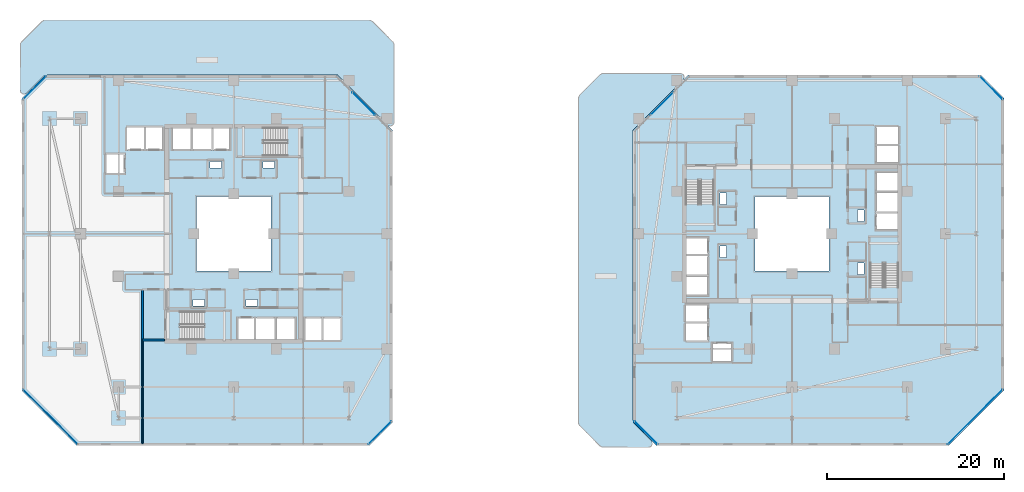
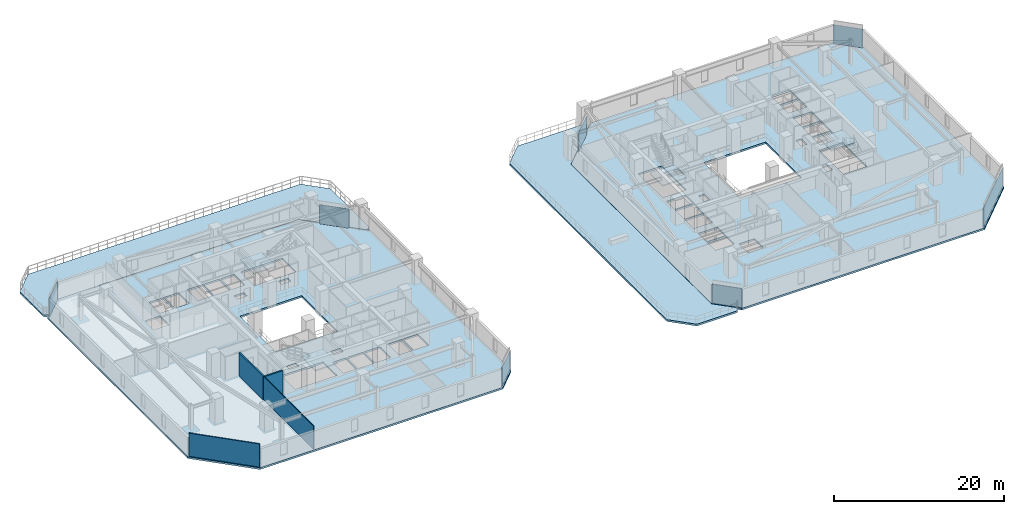
# One storey, part 17 of 31: 8 plates, 8 slabs, 4 walls, 12 elements without a shape of their own.
"""IFC4 building model written with IfcOpenShell, lengths in metres."""

import ifcopenshell
import ifcopenshell.guid

model = None  # the IFC model being written
_history = None  # IfcOwnerHistory: only IFC2X3 demands one
_inside = {}  # id of a spatial element -> (the spatial element, [elements in it])
_under = {}  # id of a project, library or spatial element -> (it, [spatial elements below it])
_declared = {}  # id of a project -> (the project, [libraries it declares])
_typed = {}  # id of a type object -> (the type object, [elements of that type])
_made_of = {}  # id of a material, layer set ... -> (it, [elements and type objects made of it])


def new_model(schema):
    """Start an empty IFC model of exactly this schema.

    Asked for "IFC4X3", IfcOpenShell would pick the latest addendum, in which some entities
    have other attributes; the version numbers below select the first issue.
    IFC2X3 requires an IfcOwnerHistory on every rooted entity: one is made here for all.
    """
    global model, _history
    if schema == "IFC4X3":
        model = ifcopenshell.file(schema_version=(4, 3, 0, 0))
    else:
        model = ifcopenshell.file(schema=schema)
    _inside.clear()
    _under.clear()
    _declared.clear()
    _typed.clear()
    _made_of.clear()
    _history = None
    if model.schema == "IFC2X3":
        org = make("IfcOrganization", Name="unknown")
        user = make(
            "IfcPersonAndOrganization",
            ThePerson=make("IfcPerson", FamilyName="unknown"),
            TheOrganization=org,
        )
        app = make(
            "IfcApplication",
            ApplicationDeveloper=org,
            Version="unknown",
            ApplicationFullName="unknown",
            ApplicationIdentifier="unknown",
        )
        _history = make(
            "IfcOwnerHistory",
            OwningUser=user,
            OwningApplication=app,
            ChangeAction="ADDED",
            CreationDate=0,
        )
    return model


def make(cls, **values):
    """One entity of the class cls with the attributes given. An attribute that is None is left unset."""
    return model.create_entity(
        cls, **{name: value for name, value in values.items() if value is not None}
    )


def rooted(cls, **values):
    """An entity with a GlobalId (a new one), such as an element, a storey or a relation."""
    return make(cls, GlobalId=ifcopenshell.guid.new(), OwnerHistory=_history, **values)


def si_unit(unit_type, name, prefix=None):
    """IfcSIUnit, for example si_unit("LENGTHUNIT", "METRE", prefix="MILLI")."""
    return make("IfcSIUnit", UnitType=unit_type, Prefix=prefix, Name=name)


def assignment(units):
    """IfcUnitAssignment: the units of a project."""
    return None if units is None else make("IfcUnitAssignment", Units=units)


def point(xyz):
    """IfcCartesianPoint."""
    return None if xyz is None else make("IfcCartesianPoint", Coordinates=xyz)


def direction(xyz):
    """IfcDirection."""
    return None if xyz is None else make("IfcDirection", DirectionRatios=xyz)


def frame(location, z_axis=None, x_axis=None):
    """IfcAxis2Placement3D, a coordinate frame: its origin and axes. An axis left out is left unset."""
    return make(
        "IfcAxis2Placement3D",
        Location=point(location),
        Axis=direction(z_axis),
        RefDirection=direction(x_axis),
    )


def frame_2d(location, x_axis=None):
    """IfcAxis2Placement2D, a coordinate frame in the plane: its origin and x axis."""
    return make(
        "IfcAxis2Placement2D", Location=point(location), RefDirection=direction(x_axis)
    )


def origin():
    """The frame at (0, 0, 0) with its axes left unset."""
    return frame((0.0, 0.0, 0.0))


def origin_2d():
    """The frame at (0, 0) in the plane with its x axis left unset."""
    return frame_2d((0.0, 0.0))


def place(relative_to, where):
    """IfcLocalPlacement: puts the frame where relative to a parent placement (None: the world)."""
    return make(
        "IfcLocalPlacement", PlacementRelTo=relative_to, RelativePlacement=where
    )


def context(
    kind, dimensions, precision=None, world=None, true_north=None, identifier=None
):
    """IfcGeometricRepresentationContext, for example the 3D "Model" context."""
    return make(
        "IfcGeometricRepresentationContext",
        ContextIdentifier=identifier,
        ContextType=kind,
        CoordinateSpaceDimension=dimensions,
        Precision=precision,
        WorldCoordinateSystem=world,
        TrueNorth=true_north,
    )


def subcontext(parent, identifier, kind, view, scale=None):
    """IfcGeometricRepresentationSubContext, for example "Body" below "Model"."""
    return make(
        "IfcGeometricRepresentationSubContext",
        ContextIdentifier=identifier,
        ContextType=kind,
        ParentContext=parent,
        TargetScale=scale,
        TargetView=view,
    )


def project(units=None, contexts=None):
    """IfcProject with its units and contexts."""
    return rooted(
        "IfcProject",
        Name="project",
        RepresentationContexts=contexts,
        UnitsInContext=assignment(units),
    )


def spatial(cls, under=None, at=None, **own):
    """A site, building, storey or space (cls), placed at a placement, below another one or the project."""
    s = rooted(cls, ObjectPlacement=at, **own)
    if under is not None:
        _under.setdefault(under.id(), (under, []))[1].append(s)
    return s


def polyline(points):
    """IfcPolyline through the points."""
    return make("IfcPolyline", Points=[point(p) for p in points])


def profile(cls, at=None, kind="AREA", **sizes):
    """A parametric profile (cls). Its sizes go by their IFC names, for example OverallWidth=200.0."""
    return make(cls, ProfileType=kind, Position=at, **sizes)


def rectangle(**sizes):
    """IfcRectangleProfileDef."""
    return profile("IfcRectangleProfileDef", **sizes)


def outline(outer, holes=None, kind="AREA"):
    """IfcArbitraryClosedProfileDef: a profile drawn as a closed curve; with holes, ...WithVoids."""
    if holes is None:
        return make("IfcArbitraryClosedProfileDef", ProfileType=kind, OuterCurve=outer)
    return make(
        "IfcArbitraryProfileDefWithVoids",
        ProfileType=kind,
        OuterCurve=outer,
        InnerCurves=holes,
    )


def extrude(swept, where, along, depth):
    """IfcExtrudedAreaSolid: the profile swept, set in the frame where, extruded along a direction by depth."""
    return make(
        "IfcExtrudedAreaSolid",
        SweptArea=swept,
        Position=where,
        ExtrudedDirection=direction(along),
        Depth=depth,
    )


def shape(context_of_items, identifier, shape_type, items):
    """IfcShapeRepresentation: the items that make up one representation, for example the "Body"."""
    return make(
        "IfcShapeRepresentation",
        ContextOfItems=context_of_items,
        RepresentationIdentifier=identifier,
        RepresentationType=shape_type,
        Items=items,
    )


def material(Name=None, Category=None):
    """IfcMaterial."""
    return make("IfcMaterial", Name=Name, Category=Category)


def layer(
    of_material, thickness, ventilated=None, Name=None, Category=None, Priority=None
):
    """IfcMaterialLayer: one layer of a wall or slab, of a material (None: an air gap)."""
    return make(
        "IfcMaterialLayer",
        Material=of_material,
        LayerThickness=thickness,
        IsVentilated=ventilated,
        Name=Name,
        Category=Category,
        Priority=Priority,
    )


def layer_set(layers, Name=None):
    """IfcMaterialLayerSet."""
    return make("IfcMaterialLayerSet", MaterialLayers=layers, LayerSetName=Name)


def made_of(thing, what):
    """Note that an element or type object is made of a material, layer set ...; save() writes the relation."""
    if what is not None:
        _made_of.setdefault(what.id(), (what, []))[1].append(thing)
    return thing


def type_object(cls, material=None, **own):
    """A type object (cls), such as IfcWallType, which elements share."""
    return made_of(rooted(cls, **own), material)


def element(
    cls,
    number,
    at=None,
    inside=None,
    cuts=None,
    type_object=None,
    material=None,
    context=None,
    identifier="Body",
    shape_type=None,
    held_by="IfcProductDefinitionShape",
    body=None,
    shapes=None,
    **own,
):
    """One element of the class cls, such as IfcWall. Its Tag is "e" and its number.

    at: its placement. inside: the storey or other place that contains it. cuts: it is an
    opening in that element (IfcRelVoidsElement). A single representation is given by context,
    identifier, shape_type and body (its items); several are given by shapes. held_by: the class
    of the entity that holds the representations. save() writes the other relations.
    """
    e = rooted(cls, Tag="e%d" % number, ObjectPlacement=at, **own)
    if body is not None:
        shapes = [shape(context, identifier, shape_type, body)]
    if shapes is not None:
        e.Representation = make(held_by, Representations=shapes)
    if inside is not None:
        _inside.setdefault(inside.id(), (inside, []))[1].append(e)
    if cuts is not None:
        rooted(
            "IfcRelVoidsElement", RelatingBuildingElement=cuts, RelatedOpeningElement=e
        )
    if type_object is not None:
        _typed.setdefault(type_object.id(), (type_object, []))[1].append(e)
    return made_of(e, material)


def aggregate(whole, parts):
    """IfcRelAggregates: a whole, such as a stair, and the parts it consists of."""
    return rooted("IfcRelAggregates", RelatingObject=whole, RelatedObjects=parts)


def save(model, path):
    """Write the relations noted so far, then the file.

    IfcRelAggregates (storeys below a building ...), IfcRelContainedInSpatialStructure (elements
    in a storey), IfcRelDefinesByType, IfcRelAssociatesMaterial and IfcRelDeclares: one each for
    every whole, place, type object, material and project.
    """
    for whole, parts in _under.values():
        aggregate(whole, parts)
    for where, things in _inside.values():
        rooted(
            "IfcRelContainedInSpatialStructure",
            RelatedElements=things,
            RelatingStructure=where,
        )
    for kind, things in _typed.values():
        rooted("IfcRelDefinesByType", RelatedObjects=things, RelatingType=kind)
    for what, things in _made_of.values():
        rooted("IfcRelAssociatesMaterial", RelatedObjects=things, RelatingMaterial=what)
    for by, libraries in _declared.values():
        rooted("IfcRelDeclares", RelatingContext=by, RelatedDefinitions=libraries)
    model.write(path)


model = new_model("IFC4")

# Units and contexts
model_context = context("Model", 3, precision=1e-05, world=origin(), true_north=direction((0.0, 1.0)))
body_context = subcontext(model_context, "Body", "Model", "MODEL_VIEW")
ifc_project = project(units=[si_unit("LENGTHUNIT", "METRE"), si_unit("AREAUNIT", "SQUARE_METRE"), si_unit("VOLUMEUNIT", "CUBIC_METRE"), si_unit("PLANEANGLEUNIT", "RADIAN"), si_unit("MASSUNIT", "GRAM", prefix="KILO")], contexts=[model_context])

# Site, building, storey
site_placement = place(None, origin())
site = spatial("IfcSite", under=ifc_project, at=site_placement, CompositionType="ELEMENT")
building_placement = place(site_placement, origin())
building = spatial("IfcBuilding", under=site, at=building_placement, Name="Thornwick Lancets Civic Towers", CompositionType="ELEMENT")
storey_placement = place(building_placement, frame((0.0, 0.0, 119.699951171875)))
storey = spatial("IfcBuildingStorey", under=building, at=storey_placement, Name="L31", CompositionType="ELEMENT", Elevation=119.699951171875)

# Curtain wall, plate
ifc_material_1 = material(Name="Mid-zone chamfered-corner unitised glass curtain wall", Category="glass")
curtain_wall_type = type_object("IfcCurtainWallType", Name="CW_SYS_04", PredefinedType="NOTDEFINED", material=ifc_material_1)
curtain_wall_1_placement = place(storey_placement, origin())
curtain_wall_1 = element("IfcCurtainWall", 1, at=curtain_wall_1_placement, inside=storey, type_object=curtain_wall_type, Name="L31 Curtain Wall CW-L31-A-E1", PredefinedType="NOTDEFINED")
ifc_material_2 = material(Name="Low-e double glazing clear glass", Category="glass")
ifc_layer_1 = layer(ifc_material_2, 0.035888671875, Name="Low-e double glazing clear glass")
ifc_layer_set_1 = layer_set([ifc_layer_1], Name="Low-e double glazing clear glass")
plate_type = type_object("IfcPlateType", Name="CW_PNL_GLASS", PredefinedType="CURTAIN_PANEL", material=ifc_layer_set_1)
plate_1_placement = place(storey_placement, frame((41.972900390625, 4.527099609375, 0.0), z_axis=(0.0, 0.0, 1.0), x_axis=(0.707106781187, 0.707106781187, 0.0)))
plate_1 = element("IfcPlate", 2, at=plate_1_placement, type_object=plate_type, Name="CW-L31-A-E1 Panel 0", PredefinedType="CURTAIN_PANEL", context=body_context, shape_type="SweptSolid", body=[
    extrude(rectangle(XDim=3.649169921875, YDim=0.035888671875, at=origin_2d()), origin(), (0.0, 0.0, 1.0), 2.699951171875),
])
aggregate(curtain_wall_1, [plate_1])

curtain_wall_2_placement = place(storey_placement, origin())
curtain_wall_2 = element("IfcCurtainWall", 3, at=curtain_wall_2_placement, inside=storey, type_object=curtain_wall_type, Name="L31 Curtain Wall CW-L31-A-E3", PredefinedType="NOTDEFINED")
plate_2_placement = place(storey_placement, frame((40.174560546875, 41.674560546875, 0.0), z_axis=(0.0, 0.0, 1.0), x_axis=(-0.707106781187, 0.707106781187, 0.0)))
plate_2 = element("IfcPlate", 4, at=plate_2_placement, type_object=plate_type, Name="CW-L31-A-E3 Panel 0", PredefinedType="CURTAIN_PANEL", context=body_context, shape_type="SweptSolid", body=[
    extrude(rectangle(XDim=3.5771484375, YDim=0.035888671875, at=origin_2d()), origin(), (0.0, 0.0, 1.0), 2.699951171875),
])
aggregate(curtain_wall_2, [plate_2])

curtain_wall_3_placement = place(storey_placement, origin())
curtain_wall_3 = element("IfcCurtainWall", 5, at=curtain_wall_3_placement, inside=storey, type_object=curtain_wall_type, Name="L31 Curtain Wall CW-L31-A-E5", PredefinedType="NOTDEFINED")
plate_3_placement = place(storey_placement, frame((3.027099609375, 43.472900390625, 0.0), z_axis=(0.0, 0.0, 1.0), x_axis=(-0.707106781187, -0.707106781187, 0.0)))
plate_3 = element("IfcPlate", 6, at=plate_3_placement, type_object=plate_type, Name="CW-L31-A-E5 Panel 0", PredefinedType="CURTAIN_PANEL", context=body_context, shape_type="SweptSolid", body=[
    extrude(rectangle(XDim=3.649169921875, YDim=0.035888671875, at=origin_2d()), origin(), (0.0, 0.0, 1.0), 2.699951171875),
])
aggregate(curtain_wall_3, [plate_3])

curtain_wall_4_placement = place(storey_placement, origin())
curtain_wall_4 = element("IfcCurtainWall", 7, at=curtain_wall_4_placement, inside=storey, type_object=curtain_wall_type, Name="L31 Curtain Wall CW-L31-A-E7", PredefinedType="NOTDEFINED")
plate_4_placement = place(storey_placement, frame((4.825439453125, 6.325439453125, 0.0), z_axis=(0.0, 0.0, 1.0), x_axis=(0.707106781187, -0.707106781187, 0.0)))
plate_4 = element("IfcPlate", 8, at=plate_4_placement, type_object=plate_type, Name="CW-L31-A-E7 Panel 0", PredefinedType="CURTAIN_PANEL", context=body_context, shape_type="SweptSolid", body=[
    extrude(rectangle(XDim=8.702392578125, YDim=0.035888671875, at=origin_2d()), origin(), (0.0, 0.0, 1.0), 2.699951171875),
])
aggregate(curtain_wall_4, [plate_4])

curtain_wall_5_placement = place(storey_placement, origin())
curtain_wall_5 = element("IfcCurtainWall", 9, at=curtain_wall_5_placement, inside=storey, type_object=curtain_wall_type, Name="L31 Curtain Wall CW-L31-B-E1", PredefinedType="NOTDEFINED")
plate_5_placement = place(storey_placement, frame((109.174560546875, 6.325439453125, 0.0), z_axis=(0.0, 0.0, 1.0), x_axis=(0.707106781187, 0.707106781187, 0.0)))
plate_5 = element("IfcPlate", 10, at=plate_5_placement, type_object=plate_type, Name="CW-L31-B-E1 Panel 0", PredefinedType="CURTAIN_PANEL", context=body_context, shape_type="SweptSolid", body=[
    extrude(rectangle(XDim=8.702392578125, YDim=0.035888671875, at=origin_2d()), origin(), (0.0, 0.0, 1.0), 2.699951171875),
])
aggregate(curtain_wall_5, [plate_5])

curtain_wall_6_placement = place(storey_placement, origin())
curtain_wall_6 = element("IfcCurtainWall", 11, at=curtain_wall_6_placement, inside=storey, type_object=curtain_wall_type, Name="L31 Curtain Wall CW-L31-B-E3", PredefinedType="NOTDEFINED")
plate_6_placement = place(storey_placement, frame((110.972900390625, 43.472900390625, 0.0), z_axis=(0.0, 0.0, 1.0), x_axis=(-0.707106781187, 0.707106781187, 0.0)))
plate_6 = element("IfcPlate", 12, at=plate_6_placement, type_object=plate_type, Name="CW-L31-B-E3 Panel 0", PredefinedType="CURTAIN_PANEL", context=body_context, shape_type="SweptSolid", body=[
    extrude(rectangle(XDim=3.649169921875, YDim=0.035888671875, at=origin_2d()), origin(), (0.0, 0.0, 1.0), 2.699951171875),
])
aggregate(curtain_wall_6, [plate_6])

curtain_wall_7_placement = place(storey_placement, origin())
curtain_wall_7 = element("IfcCurtainWall", 13, at=curtain_wall_7_placement, inside=storey, type_object=curtain_wall_type, Name="L31 Curtain Wall CW-L31-B-E5", PredefinedType="NOTDEFINED")
plate_7_placement = place(storey_placement, frame((73.825439453125, 41.674560546875, 0.0), z_axis=(0.0, 0.0, 1.0), x_axis=(-0.707106781187, -0.707106781187, 0.0)))
plate_7 = element("IfcPlate", 14, at=plate_7_placement, type_object=plate_type, Name="CW-L31-B-E5 Panel 0", PredefinedType="CURTAIN_PANEL", context=body_context, shape_type="SweptSolid", body=[
    extrude(rectangle(XDim=3.5771484375, YDim=0.035888671875, at=origin_2d()), origin(), (0.0, 0.0, 1.0), 2.699951171875),
])
aggregate(curtain_wall_7, [plate_7])

curtain_wall_8_placement = place(storey_placement, origin())
curtain_wall_8 = element("IfcCurtainWall", 15, at=curtain_wall_8_placement, inside=storey, type_object=curtain_wall_type, Name="L31 Curtain Wall CW-L31-B-E7", PredefinedType="NOTDEFINED")
plate_8_placement = place(storey_placement, frame((72.027099609375, 4.527099609375, 0.0), z_axis=(0.0, 0.0, 1.0), x_axis=(0.707106781187, -0.707106781187, 0.0)))
plate_8 = element("IfcPlate", 16, at=plate_8_placement, type_object=plate_type, Name="CW-L31-B-E7 Panel 0", PredefinedType="CURTAIN_PANEL", context=body_context, shape_type="SweptSolid", body=[
    extrude(rectangle(XDim=3.649169921875, YDim=0.035888671875, at=origin_2d()), origin(), (0.0, 0.0, 1.0), 2.699951171875),
])
aggregate(curtain_wall_8, [plate_8])

# Stair, slab
ifc_material_3 = material(Name="Concrete C40/50", Category="concrete")
stair_type = type_object("IfcStairType", Name="STAIR_DL_3600", PredefinedType="HALF_TURN_STAIR", material=ifc_material_3)
stair_1_placement = place(storey_placement, origin())
stair_1 = element("IfcStair", 17, at=stair_1_placement, inside=storey, type_object=stair_type, Name="L31 Tower A South Exit Stair ST-A1", PredefinedType="HALF_TURN_STAIR")
ifc_layer_2 = layer(ifc_material_3, 0.25, Name="Concrete C40/50")
ifc_layer_set_2 = layer_set([ifc_layer_2], Name="Concrete C40/50")
slab_type_1 = type_object("IfcSlabType", Name="SLAB_LANDING_200", PredefinedType="LANDING", material=ifc_layer_set_2)
slab_1_placement = place(storey_placement, frame((0.0, 0.0, 1.60302734375)))
slab_1 = element("IfcSlab", 18, at=slab_1_placement, type_object=slab_type_1, Name="ST-A1 landing 1", PredefinedType="LANDING", context=body_context, shape_type="SweptSolid", body=[
    extrude(outline(polyline([(22.169921875, 14.93994140625), (25.14990234375, 14.93994140625), (25.14990234375, 18.260009765625), (22.169921875, 18.260009765625), (22.169921875, 14.93994140625)])), origin(), (0.0, 0.0, 1.0), 0.199951171875),
])
aggregate(stair_1, [slab_1])

stair_2_placement = place(storey_placement, origin())
stair_2 = element("IfcStair", 19, at=stair_2_placement, inside=storey, type_object=stair_type, Name="L31 Tower A North Exit Stair ST-A2", PredefinedType="HALF_TURN_STAIR")
slab_2_placement = place(storey_placement, frame((0.0, 0.0, 1.60302734375)))
slab_2 = element("IfcSlab", 20, at=slab_2_placement, type_object=slab_type_1, Name="ST-A2 landing 1", PredefinedType="LANDING", context=body_context, shape_type="SweptSolid", body=[
    extrude(outline(polyline([(28.830078125, 39.06005859375), (25.85009765625, 39.06005859375), (25.85009765625, 35.739990234375), (28.830078125, 35.739990234375), (28.830078125, 39.06005859375)])), origin(), (0.0, 0.0, 1.0), 0.199951171875),
])
aggregate(stair_2, [slab_2])

stair_3_placement = place(storey_placement, origin())
stair_3 = element("IfcStair", 21, at=stair_3_placement, inside=storey, type_object=stair_type, Name="L31 Tower B East Exit Stair ST-B1", PredefinedType="HALF_TURN_STAIR")
slab_3_placement = place(storey_placement, frame((0.0, 0.0, 1.60302734375)))
slab_3 = element("IfcSlab", 22, at=slab_3_placement, type_object=slab_type_1, Name="ST-B1 landing 1", PredefinedType="LANDING", context=body_context, shape_type="SweptSolid", body=[
    extrude(outline(polyline([(100.56005859375, 23.669921875), (100.56005859375, 26.64990234375), (97.239990234375, 26.64990234375), (97.239990234375, 23.669921875), (100.56005859375, 23.669921875)])), origin(), (0.0, 0.0, 1.0), 0.199951171875),
])
aggregate(stair_3, [slab_3])

stair_4_placement = place(storey_placement, origin())
stair_4 = element("IfcStair", 23, at=stair_4_placement, inside=storey, type_object=stair_type, Name="L31 Tower B West Exit Stair ST-B2", PredefinedType="HALF_TURN_STAIR")
slab_4_placement = place(storey_placement, frame((0.0, 0.0, 1.60302734375)))
slab_4 = element("IfcSlab", 24, at=slab_4_placement, type_object=slab_type_1, Name="ST-B2 landing 1", PredefinedType="LANDING", context=body_context, shape_type="SweptSolid", body=[
    extrude(outline(polyline([(76.43994140625, 30.330078125), (76.43994140625, 27.35009765625), (79.760009765625, 27.35009765625), (79.760009765625, 30.330078125), (76.43994140625, 30.330078125)])), origin(), (0.0, 0.0, 1.0), 0.199951171875),
])
aggregate(stair_4, [slab_4])

# Slabs
ifc_material_4 = material(Name="Post-tensioned concrete C40/50", Category="concrete")
ifc_layer_3 = layer(ifc_material_4, 0.260009765625, Name="Post-tensioned concrete C40/50")
ifc_layer_set_3 = layer_set([ifc_layer_3], Name="Post-tensioned concrete C40/50")
slab_type_2 = type_object("IfcSlabType", Name="SLAB_PT_260", PredefinedType="FLOOR", material=ifc_layer_set_3)
slab_5_placement = place(storey_placement, frame((0.0, 0.0, -0.260009765625)))
element("IfcSlab", 25, at=slab_5_placement, inside=storey, type_object=slab_type_2, Name="L31 Tower A Floor Slab", PredefinedType="FLOOR", context=body_context, shape_type="SweptSolid", body=[
    extrude(outline(polyline([(7.800048828125, 3.10009765625), (40.800048828125, 3.10009765625), (43.39990234375, 5.699951171875), (43.39990234375, 38.699951171875), (37.199951171875, 44.89990234375), (4.199951171875, 44.89990234375), (1.60009765625, 42.300048828125), (1.60009765625, 9.300048828125), (7.800048828125, 3.10009765625)]), holes=[polyline([(21.300048828125, 22.800048828125), (29.699951171875, 22.800048828125), (29.699951171875, 31.199951171875), (21.300048828125, 31.199951171875), (21.300048828125, 22.800048828125)]), polyline([(19.429931640625, 15.0), (25.10009765625, 15.0), (25.10009765625, 18.199951171875), (19.429931640625, 18.199951171875), (19.429931640625, 15.0)]), polyline([(31.570068359375, 39.0), (25.89990234375, 39.0), (25.89990234375, 35.800048828125), (31.570068359375, 35.800048828125), (31.570068359375, 39.0)]), polyline([(26.0, 15.0), (27.800048828125, 15.0), (27.800048828125, 17.550048828125), (26.0, 17.550048828125), (26.0, 15.0)]), polyline([(28.0, 15.0), (30.14990234375, 15.0), (30.14990234375, 17.550048828125), (28.0, 17.550048828125), (28.0, 15.0)]), polyline([(30.35009765625, 15.0), (32.39990234375, 15.0), (32.39990234375, 17.550048828125), (30.35009765625, 17.550048828125), (30.35009765625, 15.0)]), polyline([(33.550048828125, 15.0), (35.449951171875, 15.0), (35.449951171875, 17.550048828125), (33.550048828125, 17.550048828125), (33.550048828125, 15.0)]), polyline([(35.60009765625, 15.0), (37.550048828125, 15.0), (37.550048828125, 17.550048828125), (35.60009765625, 17.550048828125), (35.60009765625, 15.0)]), polyline([(23.199951171875, 36.449951171875), (25.0, 36.449951171875), (25.0, 39.0), (23.199951171875, 39.0), (23.199951171875, 36.449951171875)]), polyline([(20.85009765625, 36.449951171875), (23.0, 36.449951171875), (23.0, 39.0), (20.85009765625, 39.0), (20.85009765625, 36.449951171875)]), polyline([(18.60009765625, 36.449951171875), (20.699951171875, 36.449951171875), (20.699951171875, 39.0), (18.60009765625, 39.0), (18.60009765625, 36.449951171875)]), polyline([(15.550048828125, 36.449951171875), (17.449951171875, 36.449951171875), (17.449951171875, 39.0), (15.550048828125, 39.0), (15.550048828125, 36.449951171875)]), polyline([(13.449951171875, 36.449951171875), (15.39990234375, 36.449951171875), (15.39990234375, 39.0), (13.449951171875, 39.0), (13.449951171875, 36.449951171875)]), polyline([(11.10009765625, 33.85009765625), (13.199951171875, 33.85009765625), (13.199951171875, 35.949951171875), (11.10009765625, 35.949951171875), (11.10009765625, 33.85009765625)]), polyline([(26.89990234375, 18.85009765625), (28.199951171875, 18.85009765625), (28.199951171875, 19.580078125), (26.89990234375, 19.580078125), (26.89990234375, 18.85009765625)]), polyline([(20.89990234375, 18.85009765625), (22.199951171875, 18.85009765625), (22.199951171875, 19.580078125), (20.89990234375, 19.580078125), (20.89990234375, 18.85009765625)]), polyline([(22.800048828125, 34.419921875), (24.10009765625, 34.419921875), (24.10009765625, 35.14990234375), (22.800048828125, 35.14990234375), (22.800048828125, 34.419921875)]), polyline([(28.800048828125, 34.419921875), (30.10009765625, 34.419921875), (30.10009765625, 35.14990234375), (28.800048828125, 35.14990234375), (28.800048828125, 34.419921875)])]), origin(), (0.0, 0.0, 1.0), 0.260009765625),
])
slab_6_placement = place(storey_placement, frame((0.0, 0.0, -0.260009765625)))
element("IfcSlab", 26, at=slab_6_placement, inside=storey, type_object=slab_type_2, Name="L31 Tower A Cantilevered Block Sky-Garden Terrace 1", PredefinedType="FLOOR", context=body_context, shape_type="SweptSolid", body=[
    extrude(outline(polyline([(2.135498046875, 42.86669921875), (2.10009765625, 42.840576171875), (2.06201171875, 42.81787109375), (2.022216796875, 42.798828125), (1.980712890625, 42.7841796875), (1.937744140625, 42.773193359375), (1.89404296875, 42.766845703125), (1.85009765625, 42.7646484375), (1.805908203125, 42.766845703125), (1.76220703125, 42.773193359375), (1.719482421875, 42.7841796875), (1.677734375, 42.798828125), (1.637939453125, 42.81787109375), (1.60009765625, 42.840576171875), (1.564453125, 42.86669921875), (1.53173828125, 42.896484375), (1.502197265625, 42.92919921875), (1.475830078125, 42.964599609375), (1.453125, 43.002685546875), (1.434326171875, 43.04248046875), (1.41943359375, 43.083984375), (1.40869140625, 43.126953125), (1.402099609375, 43.170654296875), (1.39990234375, 43.214599609375), (1.39990234375, 48.313720703125), (1.402099609375, 48.357666015625), (1.40869140625, 48.4013671875), (1.41943359375, 48.444091796875), (1.434326171875, 48.48583984375), (1.453125, 48.525634765625), (1.475830078125, 48.563720703125), (1.502197265625, 48.59912109375), (1.53173828125, 48.6318359375), (3.8681640625, 50.96826171875), (3.90087890625, 50.997802734375), (3.936279296875, 51.024169921875), (3.974365234375, 51.046875), (4.01416015625, 51.065673828125), (4.055908203125, 51.08056640625), (4.0986328125, 51.09130859375), (4.142333984375, 51.097900390625), (4.186279296875, 51.10009765625), (40.813720703125, 51.10009765625), (40.857666015625, 51.097900390625), (40.9013671875, 51.09130859375), (40.944091796875, 51.08056640625), (40.98583984375, 51.065673828125), (41.025634765625, 51.046875), (41.063720703125, 51.024169921875), (41.09912109375, 50.997802734375), (41.1318359375, 50.96826171875), (43.46826171875, 48.6318359375), (43.497802734375, 48.59912109375), (43.524169921875, 48.563720703125), (43.546875, 48.525634765625), (43.565673828125, 48.48583984375), (43.58056640625, 48.444091796875), (43.59130859375, 48.4013671875), (43.597900390625, 48.357666015625), (43.60009765625, 48.313720703125), (43.60009765625, 39.61474609375), (43.597900390625, 39.570556640625), (43.59130859375, 39.52685546875), (43.58056640625, 39.484130859375), (43.565673828125, 39.4423828125), (43.546875, 39.402587890625), (43.524169921875, 39.36474609375), (43.497802734375, 39.3291015625), (43.46826171875, 39.29638671875), (43.435546875, 39.266845703125), (43.39990234375, 39.240478515625), (43.362060546875, 39.2177734375), (43.322265625, 39.198974609375), (43.280517578125, 39.18408203125), (43.23779296875, 39.17333984375), (43.194091796875, 39.166748046875), (43.14990234375, 39.164794921875), (43.10595703125, 39.166748046875), (43.062255859375, 39.17333984375), (43.019287109375, 39.18408203125), (42.977783203125, 39.198974609375), (42.93798828125, 39.2177734375), (42.89990234375, 39.240478515625), (42.864501953125, 39.266845703125), (42.831787109375, 39.29638671875), (37.218017578125, 44.91015625), (37.214111328125, 44.9140625), (37.212646484375, 44.91552734375), (37.211181640625, 44.91650390625), (37.20947265625, 44.91748046875), (37.207763671875, 44.91845703125), (37.205810546875, 44.919189453125), (37.203857421875, 44.919677734375), (37.201904296875, 44.919921875), (37.199951171875, 44.919921875), (37.194091796875, 44.919921875), (4.20556640625, 44.919921875), (4.199951171875, 44.919921875), (4.197998046875, 44.919921875), (4.196044921875, 44.919677734375), (4.194091796875, 44.919189453125), (4.1923828125, 44.91845703125), (4.190673828125, 44.91748046875), (4.18896484375, 44.91650390625), (4.187255859375, 44.91552734375), (4.185791015625, 44.9140625), (4.181640625, 44.909912109375), (4.1796875, 44.907958984375), (2.168212890625, 42.896484375), (2.135498046875, 42.86669921875)])), origin(), (0.0, 0.0, 1.0), 0.260009765625),
])
slab_7_placement = place(storey_placement, frame((0.0, 0.0, -0.260009765625)))
element("IfcSlab", 27, at=slab_7_placement, inside=storey, type_object=slab_type_2, Name="L31 Tower B Floor Slab", PredefinedType="FLOOR", context=body_context, shape_type="SweptSolid", body=[
    extrude(outline(polyline([(73.199951171875, 3.10009765625), (106.199951171875, 3.10009765625), (112.39990234375, 9.300048828125), (112.39990234375, 42.300048828125), (109.800048828125, 44.89990234375), (76.800048828125, 44.89990234375), (70.60009765625, 38.699951171875), (70.60009765625, 5.699951171875), (73.199951171875, 3.10009765625)]), holes=[polyline([(84.300048828125, 22.800048828125), (92.699951171875, 22.800048828125), (92.699951171875, 31.199951171875), (84.300048828125, 31.199951171875), (84.300048828125, 22.800048828125)]), polyline([(100.5, 20.929931640625), (100.5, 26.60009765625), (97.300048828125, 26.60009765625), (97.300048828125, 20.929931640625), (100.5, 20.929931640625)]), polyline([(76.5, 33.070068359375), (76.5, 27.39990234375), (79.699951171875, 27.39990234375), (79.699951171875, 33.070068359375), (76.5, 33.070068359375)]), polyline([(97.949951171875, 27.5), (100.5, 27.5), (100.5, 29.300048828125), (97.949951171875, 29.300048828125), (97.949951171875, 27.5)]), polyline([(97.949951171875, 29.5), (100.5, 29.5), (100.5, 31.64990234375), (97.949951171875, 31.64990234375), (97.949951171875, 29.5)]), polyline([(97.949951171875, 31.85009765625), (100.5, 31.85009765625), (100.5, 33.89990234375), (97.949951171875, 33.89990234375), (97.949951171875, 31.85009765625)]), polyline([(97.949951171875, 35.050048828125), (100.5, 35.050048828125), (100.5, 36.949951171875), (97.949951171875, 36.949951171875), (97.949951171875, 35.050048828125)]), polyline([(97.949951171875, 37.10009765625), (100.5, 37.10009765625), (100.5, 39.050048828125), (97.949951171875, 39.050048828125), (97.949951171875, 37.10009765625)]), polyline([(76.5, 24.699951171875), (79.050048828125, 24.699951171875), (79.050048828125, 26.5), (76.5, 26.5), (76.5, 24.699951171875)]), polyline([(76.5, 22.35009765625), (79.050048828125, 22.35009765625), (79.050048828125, 24.5), (76.5, 24.5), (76.5, 22.35009765625)]), polyline([(76.5, 20.10009765625), (79.050048828125, 20.10009765625), (79.050048828125, 22.199951171875), (76.5, 22.199951171875), (76.5, 20.10009765625)]), polyline([(76.5, 17.050048828125), (79.050048828125, 17.050048828125), (79.050048828125, 18.949951171875), (76.5, 18.949951171875), (76.5, 17.050048828125)]), polyline([(76.5, 14.949951171875), (79.050048828125, 14.949951171875), (79.050048828125, 16.89990234375), (76.5, 16.89990234375), (76.5, 14.949951171875)]), polyline([(79.550048828125, 12.60009765625), (81.64990234375, 12.60009765625), (81.64990234375, 14.699951171875), (79.550048828125, 14.699951171875), (79.550048828125, 12.60009765625)]), polyline([(95.919921875, 28.39990234375), (96.64990234375, 28.39990234375), (96.64990234375, 29.699951171875), (95.919921875, 29.699951171875), (95.919921875, 28.39990234375)]), polyline([(95.919921875, 22.39990234375), (96.64990234375, 22.39990234375), (96.64990234375, 23.699951171875), (95.919921875, 23.699951171875), (95.919921875, 22.39990234375)]), polyline([(80.35009765625, 24.300048828125), (81.080078125, 24.300048828125), (81.080078125, 25.60009765625), (80.35009765625, 25.60009765625), (80.35009765625, 24.300048828125)]), polyline([(80.35009765625, 30.300048828125), (81.080078125, 30.300048828125), (81.080078125, 31.60009765625), (80.35009765625, 31.60009765625), (80.35009765625, 30.300048828125)])]), origin(), (0.0, 0.0, 1.0), 0.260009765625),
])
slab_8_placement = place(storey_placement, frame((0.0, 0.0, -0.260009765625)))
element("IfcSlab", 28, at=slab_8_placement, inside=storey, type_object=slab_type_2, Name="L31 Tower B Cantilevered Block Sky-Garden Terrace 1", PredefinedType="FLOOR", context=body_context, shape_type="SweptSolid", body=[
    extrude(outline(polyline([(72.63330078125, 3.635498046875), (72.659423828125, 3.60009765625), (72.68212890625, 3.56201171875), (72.701171875, 3.522216796875), (72.7158203125, 3.480712890625), (72.726806640625, 3.437744140625), (72.733154296875, 3.39404296875), (72.7353515625, 3.35009765625), (72.733154296875, 3.305908203125), (72.726806640625, 3.26220703125), (72.7158203125, 3.219482421875), (72.701171875, 3.177734375), (72.68212890625, 3.137939453125), (72.659423828125, 3.10009765625), (72.63330078125, 3.064453125), (72.603515625, 3.03173828125), (72.57080078125, 3.002197265625), (72.535400390625, 2.975830078125), (72.497314453125, 2.953125), (72.45751953125, 2.934326171875), (72.416015625, 2.91943359375), (72.373046875, 2.90869140625), (72.329345703125, 2.902099609375), (72.285400390625, 2.89990234375), (67.186279296875, 2.89990234375), (67.142333984375, 2.902099609375), (67.0986328125, 2.90869140625), (67.055908203125, 2.91943359375), (67.01416015625, 2.934326171875), (66.974365234375, 2.953125), (66.936279296875, 2.975830078125), (66.90087890625, 3.002197265625), (66.8681640625, 3.03173828125), (64.7607421875, 5.13916015625), (64.53173828125, 5.3681640625), (64.502197265625, 5.40087890625), (64.475830078125, 5.436279296875), (64.453125, 5.474365234375), (64.434326171875, 5.51416015625), (64.41943359375, 5.555908203125), (64.40869140625, 5.5986328125), (64.402099609375, 5.642333984375), (64.39990234375, 5.686279296875), (64.39990234375, 42.313720703125), (64.402099609375, 42.357666015625), (64.40869140625, 42.4013671875), (64.41943359375, 42.444091796875), (64.434326171875, 42.48583984375), (64.453125, 42.525634765625), (64.475830078125, 42.563720703125), (64.502197265625, 42.59912109375), (64.53173828125, 42.6318359375), (66.8681640625, 44.96826171875), (66.90087890625, 44.997802734375), (66.936279296875, 45.024169921875), (66.974365234375, 45.046875), (67.01416015625, 45.065673828125), (67.055908203125, 45.08056640625), (67.0986328125, 45.09130859375), (67.142333984375, 45.097900390625), (67.186279296875, 45.10009765625), (75.88525390625, 45.10009765625), (75.929443359375, 45.097900390625), (75.97314453125, 45.09130859375), (76.015869140625, 45.08056640625), (76.0576171875, 45.065673828125), (76.097412109375, 45.046875), (76.13525390625, 45.024169921875), (76.1708984375, 44.997802734375), (76.20361328125, 44.96826171875), (76.233154296875, 44.935546875), (76.259521484375, 44.89990234375), (76.2822265625, 44.862060546875), (76.301025390625, 44.822265625), (76.31591796875, 44.780517578125), (76.32666015625, 44.73779296875), (76.333251953125, 44.694091796875), (76.335205078125, 44.64990234375), (76.333251953125, 44.60595703125), (76.32666015625, 44.562255859375), (76.31591796875, 44.519287109375), (76.301025390625, 44.477783203125), (76.2822265625, 44.43798828125), (76.259521484375, 44.39990234375), (76.233154296875, 44.364501953125), (76.20361328125, 44.331787109375), (70.58984375, 38.718017578125), (70.5859375, 38.714111328125), (70.58447265625, 38.712646484375), (70.58349609375, 38.711181640625), (70.58251953125, 38.70947265625), (70.58154296875, 38.707763671875), (70.580810546875, 38.705810546875), (70.580322265625, 38.703857421875), (70.580078125, 38.701904296875), (70.580078125, 38.699951171875), (70.580078125, 38.694091796875), (70.580078125, 5.70556640625), (70.580078125, 5.699951171875), (70.580078125, 5.697998046875), (70.580322265625, 5.696044921875), (70.580810546875, 5.694091796875), (70.58154296875, 5.6923828125), (70.58251953125, 5.690673828125), (70.58349609375, 5.68896484375), (70.58447265625, 5.687255859375), (70.5859375, 5.685791015625), (71.81640625, 4.455322265625), (72.603515625, 3.668212890625), (72.63330078125, 3.635498046875)])), origin(), (0.0, 0.0, 1.0), 0.260009765625),
])

# Walls
ifc_material_5 = material(Name="Concrete blockwork C40/50", Category="masonry")
ifc_layer_4 = layer(ifc_material_5, 0.199951171875, Name="Concrete blockwork C40/50")
ifc_layer_set_4 = layer_set([ifc_layer_4], Name="Concrete blockwork C40/50")
wall_type_1 = type_object("IfcWallType", Name="WALL_COMP_200", PredefinedType="STANDARD", material=ifc_layer_set_4)
wall_1_placement = place(storey_placement, frame((15.199951171875, 15.0, 0.0), z_axis=(0.0, 0.0, 1.0), x_axis=(1.0, 0.0, 0.0)))
element("IfcWall", 29, at=wall_1_placement, inside=storey, type_object=wall_type_1, Name="L31 Partition L31-A-FFLOB1 E1", PredefinedType="STANDARD", context=body_context, shape_type="SweptSolid", body=[
    extrude(rectangle(XDim=2.5, YDim=0.199951171875, at=frame_2d((1.25, 0.0))), origin(), (0.0, 0.0, 1.0), 3.320068359375),
])
wall_2_placement = place(storey_placement, frame((15.199951171875, 20.699951171875, 0.0), z_axis=(0.0, 0.0, 1.0), x_axis=(0.0, -1.0, 0.0)))
element("IfcWall", 30, at=wall_2_placement, inside=storey, type_object=wall_type_1, Name="L31 Partition L31-A-FFLOB1 E4", PredefinedType="STANDARD", context=body_context, shape_type="SweptSolid", body=[
    extrude(rectangle(XDim=5.699951171875, YDim=0.199951171875, at=frame_2d((2.85009765625, 0.0))), origin(), (0.0, 0.0, 1.0), 3.320068359375),
])
ifc_material_6 = material(Name="Acoustic gypsum board partition")
ifc_layer_5 = layer(ifc_material_6, 0.1201171875, Name="Acoustic gypsum board partition")
ifc_layer_set_5 = layer_set([ifc_layer_5], Name="Acoustic gypsum board partition")
wall_type_2 = type_object("IfcWallType", Name="WALL_PART_120", PredefinedType="PARTITIONING", material=ifc_layer_set_5)
wall_3_placement = place(storey_placement, frame((15.199951171875, 15.0, 0.0), z_axis=(0.0, 0.0, 1.0), x_axis=(0.0, -1.0, 0.0)))
element("IfcWall", 31, at=wall_3_placement, inside=storey, type_object=wall_type_2, Name="L31 Partition L31-A-W1 E5", PredefinedType="PARTITIONING", context=body_context, shape_type="SweptSolid", body=[
    extrude(rectangle(XDim=11.719970703125, YDim=0.1201171875, at=frame_2d((5.85986328125, 0.0))), origin(), (0.0, 0.0, 1.0), 3.320068359375),
])
wall_4_placement = place(storey_placement, frame((7.87451171875, 3.280029296875, 0.0), z_axis=(0.0, 0.0, 1.0), x_axis=(-0.707106781187, 0.707106781187, 0.0)))
element("IfcWall", 32, at=wall_4_placement, inside=storey, type_object=wall_type_2, Name="L31 Partition L31-A-W1 E7", PredefinedType="PARTITIONING", context=body_context, shape_type="SweptSolid", body=[
    extrude(rectangle(XDim=8.618896484375, YDim=0.1201171875, at=frame_2d((4.3095703125, 0.0))), origin(), (0.0, 0.0, 1.0), 3.320068359375),
])

save(model, "model.ifc")
